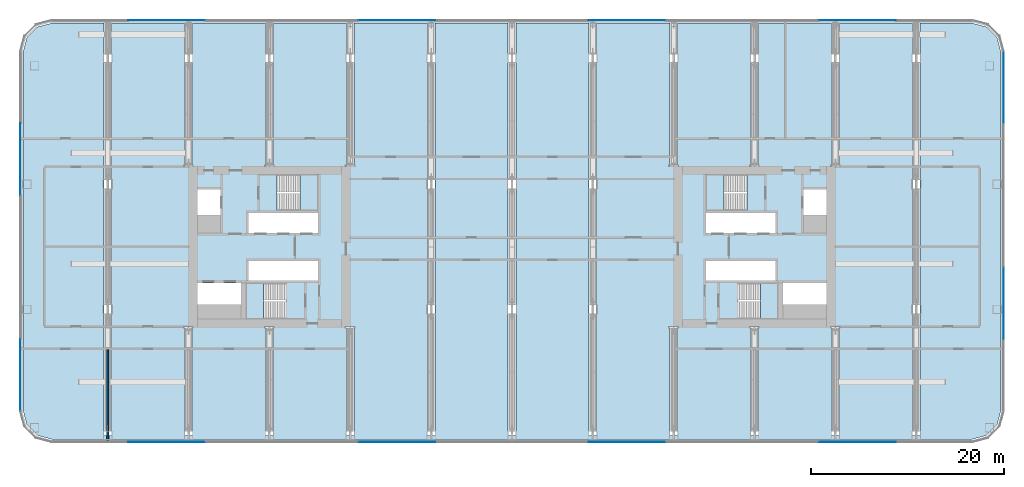
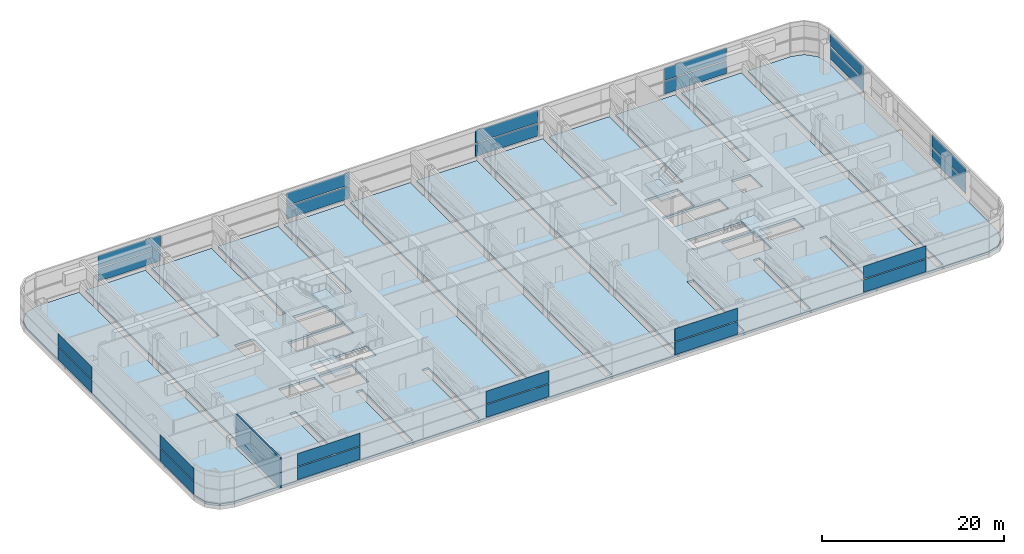
# One storey, part 15 of 30: 24 plates, 5 slabs, 1 wall, 8 elements without a shape of their own.
"""IFC4 building model written with IfcOpenShell, lengths in metres."""

from ifc_helpers import new_model, si_unit, direction, frame, frame_2d, origin, origin_2d, place, context, subcontext, project, spatial, polyline, rectangle, outline, extrude, material, layer, layer_set, type_object, element, aggregate, save


model = new_model("IFC4")

# Units and contexts
model_context = context("Model", 3, precision=1e-05, world=origin(), true_north=direction((0.0, 1.0)))
body_context = subcontext(model_context, "Body", "Model", "MODEL_VIEW")
ifc_project = project(units=[si_unit("LENGTHUNIT", "METRE"), si_unit("AREAUNIT", "SQUARE_METRE"), si_unit("VOLUMEUNIT", "CUBIC_METRE"), si_unit("PLANEANGLEUNIT", "RADIAN"), si_unit("MASSUNIT", "GRAM", prefix="KILO")], contexts=[model_context])

# Site, building, storey
site_placement = place(None, origin())
site = spatial("IfcSite", under=ifc_project, at=site_placement, CompositionType="ELEMENT")
building_placement = place(site_placement, origin())
building = spatial("IfcBuilding", under=site, at=building_placement, Name="Hakoniwa Tower and Hamabe Station Hall", CompositionType="ELEMENT")
storey_placement = place(building_placement, frame((0.0, 0.0, 64.60009765625)))
storey = spatial("IfcBuildingStorey", under=building, at=storey_placement, Name="L18", CompositionType="ELEMENT", Elevation=64.60009765625)

# Stair, slab
ifc_material_1 = material(Name="Concrete C40", Category="concrete")
stair_type = type_object("IfcStairType", Name="ESCAPE STAIR 1800", PredefinedType="HALF_TURN_STAIR", material=ifc_material_1)
stair_1_placement = place(storey_placement, origin())
stair_1 = element("IfcStair", 1, at=stair_1_placement, inside=storey, type_object=stair_type, Name="Escape stair ST-1 L18", PredefinedType="HALF_TURN_STAIR")
ifc_material_2 = material(Name="Concrete C40", Category="concrete")
ifc_layer_1 = layer(ifc_material_2, 0.25)
ifc_layer_set_1 = layer_set([ifc_layer_1], Name="CORE STAIR LANDING 250")
slab_type_1 = type_object("IfcSlabType", Name="CORE STAIR LANDING 250", PredefinedType="LANDING", material=ifc_layer_set_1)
slab_1_placement = place(storey_placement, frame((0.0, 0.0, 1.949951171875)))
slab_1 = element("IfcSlab", 2, at=slab_1_placement, type_object=slab_type_1, Name="ST-1 landing 1", PredefinedType="LANDING", context=body_context, shape_type="SweptSolid", body=[
    extrude(outline(polyline([(-22.0, 3.75), (-20.14990234375, 3.75), (-20.14990234375, 7.5), (-22.0, 7.5), (-22.0, 3.75)])), origin(), (0.0, 0.0, 1.0), 0.25),
])
aggregate(stair_1, [slab_1])

stair_2_placement = place(storey_placement, origin())
stair_2 = element("IfcStair", 3, at=stair_2_placement, inside=storey, type_object=stair_type, Name="Escape stair ST-2 L18", PredefinedType="HALF_TURN_STAIR")
slab_2_placement = place(storey_placement, frame((0.0, 0.0, 1.949951171875)))
slab_2 = element("IfcSlab", 4, at=slab_2_placement, type_object=slab_type_1, Name="ST-2 landing 1", PredefinedType="LANDING", context=body_context, shape_type="SweptSolid", body=[
    extrude(outline(polyline([(-25.800048828125, -7.5), (-27.64990234375, -7.5), (-27.64990234375, -3.75), (-25.800048828125, -3.75), (-25.800048828125, -7.5)])), origin(), (0.0, 0.0, 1.0), 0.25),
])
aggregate(stair_2, [slab_2])

stair_3_placement = place(storey_placement, origin())
stair_3 = element("IfcStair", 5, at=stair_3_placement, inside=storey, type_object=stair_type, Name="Escape stair ST-3 L18", PredefinedType="HALF_TURN_STAIR")
slab_3_placement = place(storey_placement, frame((0.0, 0.0, 1.949951171875)))
slab_3 = element("IfcSlab", 6, at=slab_3_placement, type_object=slab_type_1, Name="ST-3 landing 1", PredefinedType="LANDING", context=body_context, shape_type="SweptSolid", body=[
    extrude(outline(polyline([(22.0, 3.75), (20.14990234375, 3.75), (20.14990234375, 7.5), (22.0, 7.5), (22.0, 3.75)])), origin(), (0.0, 0.0, 1.0), 0.25),
])
aggregate(stair_3, [slab_3])

stair_4_placement = place(storey_placement, origin())
stair_4 = element("IfcStair", 7, at=stair_4_placement, inside=storey, type_object=stair_type, Name="Escape stair ST-4 L18", PredefinedType="HALF_TURN_STAIR")
slab_4_placement = place(storey_placement, frame((0.0, 0.0, 1.949951171875)))
slab_4 = element("IfcSlab", 8, at=slab_4_placement, type_object=slab_type_1, Name="ST-4 landing 1", PredefinedType="LANDING", context=body_context, shape_type="SweptSolid", body=[
    extrude(outline(polyline([(25.800048828125, -7.5), (27.64990234375, -7.5), (27.64990234375, -3.75), (25.800048828125, -3.75), (25.800048828125, -7.5)])), origin(), (0.0, 0.0, 1.0), 0.25),
])
aggregate(stair_4, [slab_4])

# Curtain wall, plates
ifc_material_3 = material(Name="Dark low-e laminated glass", Category="glass")
ifc_layer_2 = layer(ifc_material_3, 0.199951171875)
ifc_layer_set_2 = layer_set([ifc_layer_2], Name="CW-6 PLANT LOUVRE")
curtain_wall_type = type_object("IfcCurtainWallType", Name="CW-6 PLANT LOUVRE", PredefinedType="NOTDEFINED", material=ifc_layer_set_2)
curtain_wall_1_placement = place(storey_placement, origin())
curtain_wall_1 = element("IfcCurtainWall", 9, at=curtain_wall_1_placement, inside=storey, type_object=curtain_wall_type, Name="CW-6 curtain wall", PredefinedType="NOTDEFINED")
ifc_material_4 = material(Name="Dark low-e laminated glass", Category="glass")
ifc_layer_3 = layer(ifc_material_4, 0.028076171875)
ifc_layer_set_3 = layer_set([ifc_layer_3], Name="CW-1 GLASS UNIT")
plate_type = type_object("IfcPlateType", Name="CW-1 GLASS UNIT", PredefinedType="CURTAIN_PANEL", material=ifc_layer_set_3)
plate_1_placement = place(storey_placement, frame((51.0859375, -5.8408203125, 0.349853515625), z_axis=(0.0, 0.0, 1.0), x_axis=(0.0, 1.0, 0.0)))
plate_1 = element("IfcPlate", 10, at=plate_1_placement, type_object=plate_type, Name="CW-6 glass unit", PredefinedType="CURTAIN_PANEL", context=body_context, shape_type="SweptSolid", body=[
    extrude(rectangle(XDim=7.44580078125, YDim=0.028076171875, at=origin_2d()), origin(), (0.0, 0.0, 1.0), 1.68994140625),
])
plate_2_placement = place(storey_placement, frame((51.0859375, -5.8408203125, 2.159912109375), z_axis=(0.0, 0.0, 1.0), x_axis=(0.0, 1.0, 0.0)))
plate_2 = element("IfcPlate", 11, at=plate_2_placement, type_object=plate_type, Name="CW-6 glass unit", PredefinedType="CURTAIN_PANEL", context=body_context, shape_type="SweptSolid", body=[
    extrude(rectangle(XDim=7.44580078125, YDim=0.028076171875, at=origin_2d()), origin(), (0.0, 0.0, 1.0), 1.68994140625),
])
plate_3_placement = place(storey_placement, frame((51.0859375, 16.556640625, 0.349853515625), z_axis=(0.0, 0.0, 1.0), x_axis=(0.0, 1.0, 0.0)))
plate_3 = element("IfcPlate", 12, at=plate_3_placement, type_object=plate_type, Name="CW-6 glass unit", PredefinedType="CURTAIN_PANEL", context=body_context, shape_type="SweptSolid", body=[
    extrude(rectangle(XDim=7.44580078125, YDim=0.028076171875, at=origin_2d()), origin(), (0.0, 0.0, 1.0), 1.68994140625),
])
plate_4_placement = place(storey_placement, frame((51.0859375, 16.556640625, 2.159912109375), z_axis=(0.0, 0.0, 1.0), x_axis=(0.0, 1.0, 0.0)))
plate_4 = element("IfcPlate", 13, at=plate_4_placement, type_object=plate_type, Name="CW-6 glass unit", PredefinedType="CURTAIN_PANEL", context=body_context, shape_type="SweptSolid", body=[
    extrude(rectangle(XDim=7.44580078125, YDim=0.028076171875, at=origin_2d()), origin(), (0.0, 0.0, 1.0), 1.68994140625),
])
aggregate(curtain_wall_1, [plate_1, plate_2, plate_3, plate_4])

curtain_wall_2_placement = place(storey_placement, origin())
curtain_wall_2 = element("IfcCurtainWall", 14, at=curtain_wall_2_placement, inside=storey, type_object=curtain_wall_type, Name="CW-6 curtain wall", PredefinedType="NOTDEFINED")
plate_5_placement = place(storey_placement, frame((35.879638671875, 23.535888671875, 0.349853515625), z_axis=(0.0, 0.0, 1.0), x_axis=(-1.0, 0.0, 0.0)))
plate_5 = element("IfcPlate", 15, at=plate_5_placement, type_object=plate_type, Name="CW-6 glass unit", PredefinedType="CURTAIN_PANEL", context=body_context, shape_type="SweptSolid", body=[
    extrude(rectangle(XDim=7.953369140625, YDim=0.028076171875, at=origin_2d()), origin(), (0.0, 0.0, 1.0), 1.68994140625),
])
plate_6_placement = place(storey_placement, frame((35.879638671875, 23.535888671875, 2.159912109375), z_axis=(0.0, 0.0, 1.0), x_axis=(-1.0, 0.0, 0.0)))
plate_6 = element("IfcPlate", 16, at=plate_6_placement, type_object=plate_type, Name="CW-6 glass unit", PredefinedType="CURTAIN_PANEL", context=body_context, shape_type="SweptSolid", body=[
    extrude(rectangle(XDim=7.953369140625, YDim=0.028076171875, at=origin_2d()), origin(), (0.0, 0.0, 1.0), 1.68994140625),
])
plate_7_placement = place(storey_placement, frame((11.9599609375, 23.535888671875, 0.349853515625), z_axis=(0.0, 0.0, 1.0), x_axis=(-1.0, 0.0, 0.0)))
plate_7 = element("IfcPlate", 17, at=plate_7_placement, type_object=plate_type, Name="CW-6 glass unit", PredefinedType="CURTAIN_PANEL", context=body_context, shape_type="SweptSolid", body=[
    extrude(rectangle(XDim=7.953369140625, YDim=0.028076171875, at=origin_2d()), origin(), (0.0, 0.0, 1.0), 1.68994140625),
])
plate_8_placement = place(storey_placement, frame((11.9599609375, 23.535888671875, 2.159912109375), z_axis=(0.0, 0.0, 1.0), x_axis=(-1.0, 0.0, 0.0)))
plate_8 = element("IfcPlate", 18, at=plate_8_placement, type_object=plate_type, Name="CW-6 glass unit", PredefinedType="CURTAIN_PANEL", context=body_context, shape_type="SweptSolid", body=[
    extrude(rectangle(XDim=7.953369140625, YDim=0.028076171875, at=origin_2d()), origin(), (0.0, 0.0, 1.0), 1.68994140625),
])
plate_9_placement = place(storey_placement, frame((-11.9599609375, 23.535888671875, 0.349853515625), z_axis=(0.0, 0.0, 1.0), x_axis=(-1.0, 0.0, 0.0)))
plate_9 = element("IfcPlate", 19, at=plate_9_placement, type_object=plate_type, Name="CW-6 glass unit", PredefinedType="CURTAIN_PANEL", context=body_context, shape_type="SweptSolid", body=[
    extrude(rectangle(XDim=7.953369140625, YDim=0.028076171875, at=origin_2d()), origin(), (0.0, 0.0, 1.0), 1.68994140625),
])
plate_10_placement = place(storey_placement, frame((-11.9599609375, 23.535888671875, 2.159912109375), z_axis=(0.0, 0.0, 1.0), x_axis=(-1.0, 0.0, 0.0)))
plate_10 = element("IfcPlate", 20, at=plate_10_placement, type_object=plate_type, Name="CW-6 glass unit", PredefinedType="CURTAIN_PANEL", context=body_context, shape_type="SweptSolid", body=[
    extrude(rectangle(XDim=7.953369140625, YDim=0.028076171875, at=origin_2d()), origin(), (0.0, 0.0, 1.0), 1.68994140625),
])
plate_11_placement = place(storey_placement, frame((-35.879638671875, 23.535888671875, 0.349853515625), z_axis=(0.0, 0.0, 1.0), x_axis=(-1.0, 0.0, 0.0)))
plate_11 = element("IfcPlate", 21, at=plate_11_placement, type_object=plate_type, Name="CW-6 glass unit", PredefinedType="CURTAIN_PANEL", context=body_context, shape_type="SweptSolid", body=[
    extrude(rectangle(XDim=7.953369140625, YDim=0.028076171875, at=origin_2d()), origin(), (0.0, 0.0, 1.0), 1.68994140625),
])
plate_12_placement = place(storey_placement, frame((-35.879638671875, 23.535888671875, 2.159912109375), z_axis=(0.0, 0.0, 1.0), x_axis=(-1.0, 0.0, 0.0)))
plate_12 = element("IfcPlate", 22, at=plate_12_placement, type_object=plate_type, Name="CW-6 glass unit", PredefinedType="CURTAIN_PANEL", context=body_context, shape_type="SweptSolid", body=[
    extrude(rectangle(XDim=7.953369140625, YDim=0.028076171875, at=origin_2d()), origin(), (0.0, 0.0, 1.0), 1.68994140625),
])
aggregate(curtain_wall_2, [plate_5, plate_6, plate_7, plate_8, plate_9, plate_10, plate_11, plate_12])

curtain_wall_3_placement = place(storey_placement, origin())
curtain_wall_3 = element("IfcCurtainWall", 23, at=curtain_wall_3_placement, inside=storey, type_object=curtain_wall_type, Name="CW-6 curtain wall", PredefinedType="NOTDEFINED")
plate_13_placement = place(storey_placement, frame((-51.0859375, 9.0908203125, 0.349853515625), z_axis=(0.0, 0.0, 1.0), x_axis=(0.0, -1.0, 0.0)))
plate_13 = element("IfcPlate", 24, at=plate_13_placement, type_object=plate_type, Name="CW-6 glass unit", PredefinedType="CURTAIN_PANEL", context=body_context, shape_type="SweptSolid", body=[
    extrude(rectangle(XDim=7.44580078125, YDim=0.028076171875, at=origin_2d()), origin(), (0.0, 0.0, 1.0), 1.68994140625),
])
plate_14_placement = place(storey_placement, frame((-51.0859375, 9.0908203125, 2.159912109375), z_axis=(0.0, 0.0, 1.0), x_axis=(0.0, -1.0, 0.0)))
plate_14 = element("IfcPlate", 25, at=plate_14_placement, type_object=plate_type, Name="CW-6 glass unit", PredefinedType="CURTAIN_PANEL", context=body_context, shape_type="SweptSolid", body=[
    extrude(rectangle(XDim=7.44580078125, YDim=0.028076171875, at=origin_2d()), origin(), (0.0, 0.0, 1.0), 1.68994140625),
])
plate_15_placement = place(storey_placement, frame((-51.0859375, -13.306640625, 0.349853515625), z_axis=(0.0, 0.0, 1.0), x_axis=(0.0, -1.0, 0.0)))
plate_15 = element("IfcPlate", 26, at=plate_15_placement, type_object=plate_type, Name="CW-6 glass unit", PredefinedType="CURTAIN_PANEL", context=body_context, shape_type="SweptSolid", body=[
    extrude(rectangle(XDim=7.44580078125, YDim=0.028076171875, at=origin_2d()), origin(), (0.0, 0.0, 1.0), 1.68994140625),
])
plate_16_placement = place(storey_placement, frame((-51.0859375, -13.306640625, 2.159912109375), z_axis=(0.0, 0.0, 1.0), x_axis=(0.0, -1.0, 0.0)))
plate_16 = element("IfcPlate", 27, at=plate_16_placement, type_object=plate_type, Name="CW-6 glass unit", PredefinedType="CURTAIN_PANEL", context=body_context, shape_type="SweptSolid", body=[
    extrude(rectangle(XDim=7.44580078125, YDim=0.028076171875, at=origin_2d()), origin(), (0.0, 0.0, 1.0), 1.68994140625),
])
aggregate(curtain_wall_3, [plate_13, plate_14, plate_15, plate_16])

curtain_wall_4_placement = place(storey_placement, origin())
curtain_wall_4 = element("IfcCurtainWall", 28, at=curtain_wall_4_placement, inside=storey, type_object=curtain_wall_type, Name="CW-6 curtain wall", PredefinedType="NOTDEFINED")
plate_17_placement = place(storey_placement, frame((-35.879638671875, -20.285888671875, 0.349853515625), z_axis=(0.0, 0.0, 1.0), x_axis=(1.0, 0.0, 0.0)))
plate_17 = element("IfcPlate", 29, at=plate_17_placement, type_object=plate_type, Name="CW-6 glass unit", PredefinedType="CURTAIN_PANEL", context=body_context, shape_type="SweptSolid", body=[
    extrude(rectangle(XDim=7.953369140625, YDim=0.028076171875, at=origin_2d()), origin(), (0.0, 0.0, 1.0), 1.68994140625),
])
plate_18_placement = place(storey_placement, frame((-35.879638671875, -20.285888671875, 2.159912109375), z_axis=(0.0, 0.0, 1.0), x_axis=(1.0, 0.0, 0.0)))
plate_18 = element("IfcPlate", 30, at=plate_18_placement, type_object=plate_type, Name="CW-6 glass unit", PredefinedType="CURTAIN_PANEL", context=body_context, shape_type="SweptSolid", body=[
    extrude(rectangle(XDim=7.953369140625, YDim=0.028076171875, at=origin_2d()), origin(), (0.0, 0.0, 1.0), 1.68994140625),
])
plate_19_placement = place(storey_placement, frame((-11.9599609375, -20.285888671875, 0.349853515625), z_axis=(0.0, 0.0, 1.0), x_axis=(1.0, 0.0, 0.0)))
plate_19 = element("IfcPlate", 31, at=plate_19_placement, type_object=plate_type, Name="CW-6 glass unit", PredefinedType="CURTAIN_PANEL", context=body_context, shape_type="SweptSolid", body=[
    extrude(rectangle(XDim=7.953369140625, YDim=0.028076171875, at=origin_2d()), origin(), (0.0, 0.0, 1.0), 1.68994140625),
])
plate_20_placement = place(storey_placement, frame((-11.9599609375, -20.285888671875, 2.159912109375), z_axis=(0.0, 0.0, 1.0), x_axis=(1.0, 0.0, 0.0)))
plate_20 = element("IfcPlate", 32, at=plate_20_placement, type_object=plate_type, Name="CW-6 glass unit", PredefinedType="CURTAIN_PANEL", context=body_context, shape_type="SweptSolid", body=[
    extrude(rectangle(XDim=7.953369140625, YDim=0.028076171875, at=origin_2d()), origin(), (0.0, 0.0, 1.0), 1.68994140625),
])
plate_21_placement = place(storey_placement, frame((11.9599609375, -20.285888671875, 0.349853515625), z_axis=(0.0, 0.0, 1.0), x_axis=(1.0, 0.0, 0.0)))
plate_21 = element("IfcPlate", 33, at=plate_21_placement, type_object=plate_type, Name="CW-6 glass unit", PredefinedType="CURTAIN_PANEL", context=body_context, shape_type="SweptSolid", body=[
    extrude(rectangle(XDim=7.953369140625, YDim=0.028076171875, at=origin_2d()), origin(), (0.0, 0.0, 1.0), 1.68994140625),
])
plate_22_placement = place(storey_placement, frame((11.9599609375, -20.285888671875, 2.159912109375), z_axis=(0.0, 0.0, 1.0), x_axis=(1.0, 0.0, 0.0)))
plate_22 = element("IfcPlate", 34, at=plate_22_placement, type_object=plate_type, Name="CW-6 glass unit", PredefinedType="CURTAIN_PANEL", context=body_context, shape_type="SweptSolid", body=[
    extrude(rectangle(XDim=7.953369140625, YDim=0.028076171875, at=origin_2d()), origin(), (0.0, 0.0, 1.0), 1.68994140625),
])
plate_23_placement = place(storey_placement, frame((35.879638671875, -20.285888671875, 0.349853515625), z_axis=(0.0, 0.0, 1.0), x_axis=(1.0, 0.0, 0.0)))
plate_23 = element("IfcPlate", 35, at=plate_23_placement, type_object=plate_type, Name="CW-6 glass unit", PredefinedType="CURTAIN_PANEL", context=body_context, shape_type="SweptSolid", body=[
    extrude(rectangle(XDim=7.953369140625, YDim=0.028076171875, at=origin_2d()), origin(), (0.0, 0.0, 1.0), 1.68994140625),
])
plate_24_placement = place(storey_placement, frame((35.879638671875, -20.285888671875, 2.159912109375), z_axis=(0.0, 0.0, 1.0), x_axis=(1.0, 0.0, 0.0)))
plate_24 = element("IfcPlate", 36, at=plate_24_placement, type_object=plate_type, Name="CW-6 glass unit", PredefinedType="CURTAIN_PANEL", context=body_context, shape_type="SweptSolid", body=[
    extrude(rectangle(XDim=7.953369140625, YDim=0.028076171875, at=origin_2d()), origin(), (0.0, 0.0, 1.0), 1.68994140625),
])
aggregate(curtain_wall_4, [plate_17, plate_18, plate_19, plate_20, plate_21, plate_22, plate_23, plate_24])

# Slab
ifc_material_5 = material(Name="Concrete C40", Category="concrete")
ifc_layer_4 = layer(ifc_material_5, 0.300048828125)
ifc_layer_set_4 = layer_set([ifc_layer_4], Name="TRANSFER FLOOR SLAB 300")
slab_type_2 = type_object("IfcSlabType", Name="TRANSFER FLOOR SLAB 300", PredefinedType="FLOOR", material=ifc_layer_set_4)
slab_5_placement = place(storey_placement, frame((0.0, 0.0, -0.300048828125)))
element("IfcSlab", 37, at=slab_5_placement, inside=storey, type_object=slab_type_2, Name="Floor slab L18", PredefinedType="FLOOR", context=body_context, shape_type="SweptSolid", body=[
    extrude(outline(polyline([(-50.398193359375, -18.5), (-49.300048828125, -19.59814453125), (-47.800048828125, -20.0), (47.800048828125, -20.0), (49.300048828125, -19.59814453125), (50.398193359375, -18.5), (50.800048828125, -17.0), (50.800048828125, 20.25), (50.398193359375, 21.75), (49.300048828125, 22.84814453125), (47.800048828125, 23.25), (42.39990234375, 23.25), (42.39990234375, -19.60009765625), (41.60009765625, -19.60009765625), (41.60009765625, 23.25), (34.0, 23.25), (34.0, 8.39990234375), (33.199951171875, 8.39990234375), (33.199951171875, 23.25), (25.60009765625, 23.25), (25.60009765625, 8.39990234375), (24.800048828125, 8.39990234375), (24.800048828125, 23.25), (17.199951171875, 23.25), (17.199951171875, 8.39990234375), (16.39990234375, 8.39990234375), (16.39990234375, 23.25), (8.800048828125, 23.25), (8.800048828125, -19.60009765625), (8.0, -19.60009765625), (8.0, 23.25), (0.39990234375, 23.25), (0.39990234375, -19.60009765625), (-0.39990234375, -19.60009765625), (-0.39990234375, 23.25), (-8.0, 23.25), (-8.0, -19.60009765625), (-8.800048828125, -19.60009765625), (-8.800048828125, 23.25), (-16.39990234375, 23.25), (-16.39990234375, 8.39990234375), (-17.199951171875, 8.39990234375), (-17.199951171875, 23.25), (-24.800048828125, 23.25), (-24.800048828125, 8.39990234375), (-25.60009765625, 8.39990234375), (-25.60009765625, 23.25), (-33.199951171875, 23.25), (-33.199951171875, 8.39990234375), (-34.0, 8.39990234375), (-34.0, 23.25), (-41.60009765625, 23.25), (-41.60009765625, -19.60009765625), (-42.39990234375, -19.60009765625), (-42.39990234375, 23.25), (-47.800048828125, 23.25), (-49.300048828125, 22.84814453125), (-50.398193359375, 21.75), (-50.800048828125, 20.25), (-50.800048828125, -17.0), (-50.398193359375, -18.5)]), holes=[polyline([(-27.39990234375, 1.449951171875), (-27.39990234375, 3.5), (-20.14990234375, 3.5), (-20.14990234375, 1.449951171875), (-27.39990234375, 1.449951171875)]), polyline([(-27.39990234375, -3.5), (-27.39990234375, -1.449951171875), (-20.14990234375, -1.449951171875), (-20.14990234375, -3.5), (-27.39990234375, -3.5)]), polyline([(-32.699951171875, 3.300048828125), (-32.699951171875, 5.949951171875), (-30.300048828125, 5.949951171875), (-30.300048828125, 3.300048828125), (-32.699951171875, 3.300048828125)]), polyline([(-32.699951171875, -6.0), (-32.699951171875, -3.75), (-28.14990234375, -3.75), (-28.14990234375, -6.0), (-32.699951171875, -6.0)]), polyline([(-24.389892578125, 3.75), (-24.389892578125, 7.5), (-20.14990234375, 7.5), (-20.14990234375, 3.75), (-24.389892578125, 3.75)]), polyline([(-27.64990234375, -7.5), (-27.64990234375, -3.75), (-23.409912109375, -3.75), (-23.409912109375, -7.5), (-27.64990234375, -7.5)]), polyline([(20.14990234375, 1.449951171875), (20.14990234375, 3.5), (27.39990234375, 3.5), (27.39990234375, 1.449951171875), (20.14990234375, 1.449951171875)]), polyline([(20.14990234375, -3.5), (20.14990234375, -1.449951171875), (27.39990234375, -1.449951171875), (27.39990234375, -3.5), (20.14990234375, -3.5)]), polyline([(30.300048828125, 3.300048828125), (30.300048828125, 5.949951171875), (32.699951171875, 5.949951171875), (32.699951171875, 3.300048828125), (30.300048828125, 3.300048828125)]), polyline([(28.14990234375, -6.0), (28.14990234375, -3.75), (32.699951171875, -3.75), (32.699951171875, -6.0), (28.14990234375, -6.0)]), polyline([(20.14990234375, 3.75), (20.14990234375, 7.5), (24.389892578125, 7.5), (24.389892578125, 3.75), (20.14990234375, 3.75)]), polyline([(23.409912109375, -7.5), (23.409912109375, -3.75), (27.64990234375, -3.75), (27.64990234375, -7.5), (23.409912109375, -7.5)]), polyline([(-34.0, -19.60009765625), (-34.0, -8.39990234375), (-33.199951171875, -8.39990234375), (-33.199951171875, -19.60009765625), (-34.0, -19.60009765625)]), polyline([(-25.60009765625, -19.60009765625), (-25.60009765625, -8.39990234375), (-24.800048828125, -8.39990234375), (-24.800048828125, -19.60009765625), (-25.60009765625, -19.60009765625)]), polyline([(-17.199951171875, -19.60009765625), (-17.199951171875, -8.39990234375), (-16.39990234375, -8.39990234375), (-16.39990234375, -19.60009765625), (-17.199951171875, -19.60009765625)]), polyline([(16.39990234375, -19.60009765625), (16.39990234375, -8.39990234375), (17.199951171875, -8.39990234375), (17.199951171875, -19.60009765625), (16.39990234375, -19.60009765625)]), polyline([(24.800048828125, -19.60009765625), (24.800048828125, -8.39990234375), (25.60009765625, -8.39990234375), (25.60009765625, -19.60009765625), (24.800048828125, -19.60009765625)]), polyline([(33.199951171875, -19.60009765625), (33.199951171875, -8.39990234375), (34.0, -8.39990234375), (34.0, -19.60009765625), (33.199951171875, -19.60009765625)])]), origin(), (0.0, 0.0, 1.0), 0.300048828125),
])

# Wall
ifc_material_6 = material(Name="Fire-rated gypsum board partition", Category="gypsum")
ifc_layer_5 = layer(ifc_material_6, 0.199951171875)
ifc_layer_set_5 = layer_set([ifc_layer_5], Name="Party Wall 200")
wall_type = type_object("IfcWallType", Name="Party Wall 200", PredefinedType="PARTITIONING", material=ifc_layer_set_5)
wall_placement = place(storey_placement, frame((-42.0, -20.300048828125, 0.0), z_axis=(0.0, 0.0, 1.0), x_axis=(0.0, 1.0, 0.0)))
element("IfcWall", 38, at=wall_placement, inside=storey, type_object=wall_type, Name="GW-L18-016", PredefinedType="PARTITIONING", context=body_context, shape_type="SweptSolid", body=[
    extrude(rectangle(XDim=9.60009765625, YDim=0.199951171875, at=frame_2d((4.800048828125, 0.0))), origin(), (0.0, 0.0, 1.0), 4.099853515625),
])

save(model, "model.ifc")
